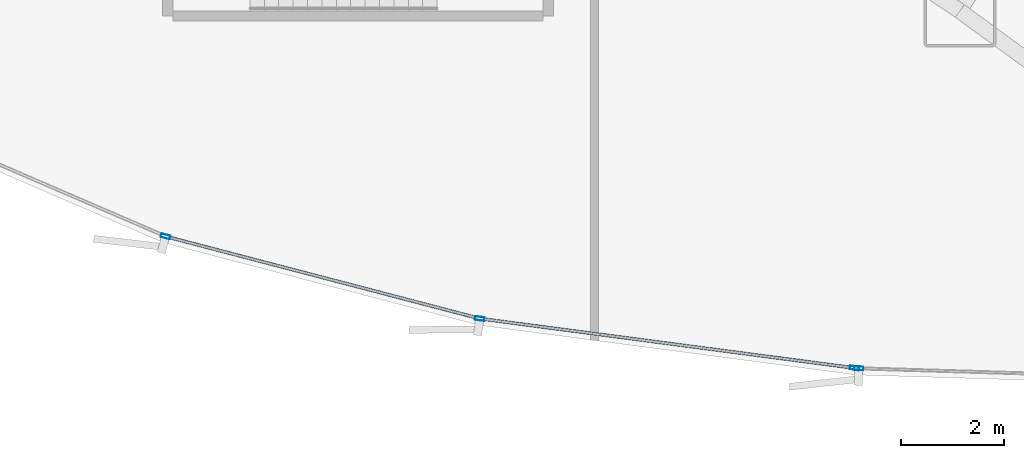
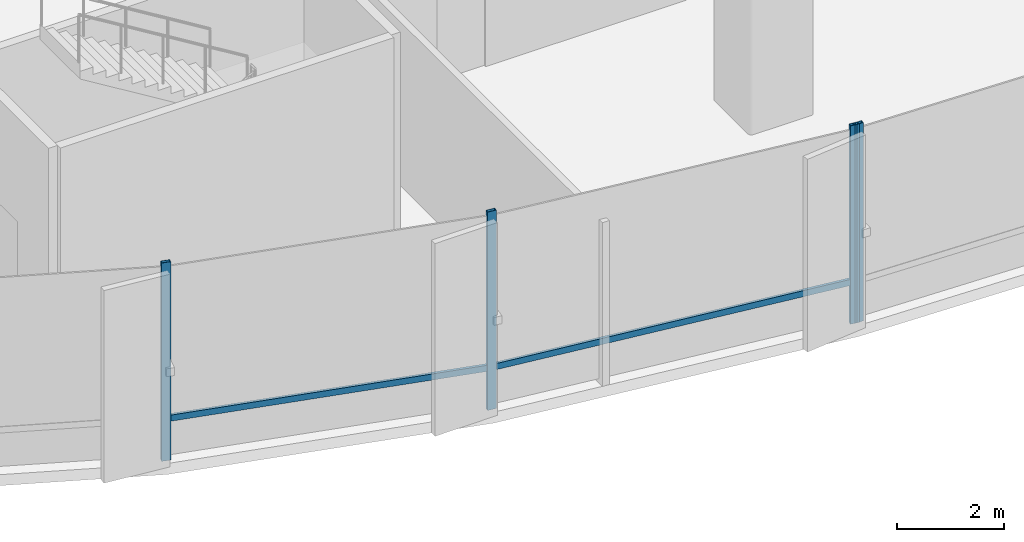
# One storey, part 4 of 33: 6 members, 2 elements without a shape of their own.
"""IFC4 building model written with IfcOpenShell, lengths in metres."""

from ifc_helpers import new_model, si_unit, direction, frame, origin, origin_2d, place, context, subcontext, project, spatial, hollow_rectangle, extrude, source, transform, mapped, material, layer, layer_set, material_profile, profile_set, type_object, element, aggregate, save


model = new_model("IFC4")

# Units and contexts
model_context = context("Model", 3, precision=1e-05, world=origin(), true_north=direction((0.0, 1.0)))
body_context = subcontext(model_context, "Body", "Model", "MODEL_VIEW")
ifc_project = project(units=[si_unit("LENGTHUNIT", "METRE"), si_unit("AREAUNIT", "SQUARE_METRE"), si_unit("VOLUMEUNIT", "CUBIC_METRE"), si_unit("PLANEANGLEUNIT", "RADIAN"), si_unit("MASSUNIT", "GRAM", prefix="KILO"), si_unit("THERMODYNAMICTEMPERATUREUNIT", "KELVIN")], contexts=[model_context])

# Site, building, storey
site_placement = place(None, origin())
site = spatial("IfcSite", under=ifc_project, at=site_placement, CompositionType="ELEMENT")
building_placement = place(site_placement, origin())
building = spatial("IfcBuilding", under=site, at=building_placement, Name="Kethvar Cultural Tower", CompositionType="ELEMENT")
storey_placement = place(building_placement, frame((0.0, 0.0, 10.0)))
storey = spatial("IfcBuildingStorey", under=building, at=storey_placement, Name="L02", CompositionType="ELEMENT", Elevation=10.0)

# Curtain wall, members
ifc_material = material(Name="Aluminium 6063-T6", Category="aluminium")
ifc_layer = layer(ifc_material, 0.179931640625, Name="Aluminium 6063-T6", Category="aluminium")
ifc_layer_set = layer_set([ifc_layer], Name="Aluminium 6063-T6 (180 mm)")
curtain_wall_type = type_object("IfcCurtainWallType", Name="CW-SYS-01-POD", PredefinedType="NOTDEFINED", material=ifc_layer_set)
curtain_wall_1_placement = place(storey_placement, origin())
curtain_wall_1 = element("IfcCurtainWall", 1, at=curtain_wall_1_placement, inside=storey, type_object=curtain_wall_type, Name="L02 Curtain Wall Run 04", PredefinedType="NOTDEFINED")
ifc_material_profile_1 = material_profile(ifc_material, hollow_rectangle(XDim=0.06005859375, YDim=0.139892578125, WallThickness=0.0048828125, at=origin_2d()), Name="Aluminium 6063-T6 — RHS140x60x5")
ifc_profile_set_1 = profile_set([ifc_material_profile_1], Name="Aluminium 6063-T6 — RHS140x60x5")
member_type_1 = type_object("IfcMemberType", Name="CW-SYS-01-POD-TRN", PredefinedType="USERDEFINED", material=ifc_profile_set_1)
shared_shape_1 = source(origin(), body_context, "Body", "SweptSolid", [
    extrude(hollow_rectangle(XDim=0.06005859375, YDim=0.139892578125, WallThickness=0.0048828125, at=origin_2d()), origin(), (0.0, 0.0, 1.0), 7.28955078125),
])
member_1_placement = place(storey_placement, frame((24.0205078125, 1.611328125, 0.949951171875), z_axis=(0.991428284846, -0.130652041726, 0.0), x_axis=(0.130652041726, 0.991428284846, 0.0)))
member_1 = element("IfcMember", 2, at=member_1_placement, type_object=member_type_1, Name="CW-L02-R04 Transom 6", ObjectType="TRANSOM", PredefinedType="USERDEFINED", context=body_context, shape_type="MappedRepresentation", body=[
    mapped(shared_shape_1, transform((0.0, 0.0, 0.0), scale=1.0)),
])
shared_shape_2 = source(origin(), body_context, "Body", "SweptSolid", [
    extrude(hollow_rectangle(XDim=0.06005859375, YDim=0.139892578125, WallThickness=0.0048828125, at=origin_2d()), origin(), (0.0, 0.0, 1.0), 6.221435546875),
])
member_2_placement = place(storey_placement, frame((17.911865234375, 3.203125, 0.949951171875), z_axis=(0.967458727109, -0.253028874519, 0.0), x_axis=(0.253028874519, 0.967458727109, 0.0)))
member_2 = element("IfcMember", 3, at=member_2_placement, type_object=member_type_1, Name="CW-L02-R04 Transom 5", ObjectType="TRANSOM", PredefinedType="USERDEFINED", context=body_context, shape_type="MappedRepresentation", body=[
    mapped(shared_shape_2, transform((0.0, 0.0, 0.0), scale=1.0)),
])
ifc_material_profile_2 = material_profile(ifc_material, hollow_rectangle(XDim=0.074951171875, YDim=0.179931640625, WallThickness=0.006103515625, at=origin_2d()), Name="Aluminium 6063-T6 — RHS180x75x6")
ifc_profile_set_2 = profile_set([ifc_material_profile_2], Name="Aluminium 6063-T6 — RHS180x75x6")
member_type_2 = type_object("IfcMemberType", Name="CW-SYS-01-POD-MUL", PredefinedType="MULLION", material=ifc_profile_set_2)
shared_shape_3 = source(origin(), body_context, "Body", "SweptSolid", [
    extrude(hollow_rectangle(XDim=0.074951171875, YDim=0.179931640625, WallThickness=0.006103515625, at=origin_2d()), origin(), (0.0, 0.0, 1.0), 4.530029296875),
])
member_3_placement = place(storey_placement, frame((17.859619140625, 3.216796875, 0.0), z_axis=(0.0, 0.0, 1.0), x_axis=(0.253031946887, 0.967457923558, 0.0)))
member_3 = element("IfcMember", 4, at=member_3_placement, type_object=member_type_2, Name="CW-L02-R04 Mullion 5", PredefinedType="MULLION", context=body_context, shape_type="MappedRepresentation", body=[
    mapped(shared_shape_3, transform((0.0, 0.0, 0.0), scale=1.0)),
])
member_4_placement = place(storey_placement, frame((23.967041015625, 1.618408203125, 0.0), z_axis=(0.0, 0.0, 1.0), x_axis=(0.130647319086, 0.991428907192, 0.0)))
member_4 = element("IfcMember", 5, at=member_4_placement, type_object=member_type_2, Name="CW-L02-R04 Mullion 6", PredefinedType="MULLION", context=body_context, shape_type="MappedRepresentation", body=[
    mapped(shared_shape_3, transform((0.0, 0.0, 0.0), scale=1.0)),
])
member_5_placement = place(storey_placement, frame((31.252685546875, 0.658447265625, 0.0), z_axis=(0.0, 0.0, 1.0), x_axis=(0.130647319086, 0.991428907192, 0.0)))
member_5 = element("IfcMember", 6, at=member_5_placement, type_object=member_type_2, Name="CW-L02-R04 Mullion 7", PredefinedType="MULLION", context=body_context, shape_type="MappedRepresentation", body=[
    mapped(shared_shape_3, transform((0.0, 0.0, 0.0), scale=1.0)),
])
aggregate(curtain_wall_1, [member_3, member_4, member_5, member_2, member_1])

# Curtain wall, member
curtain_wall_2_placement = place(storey_placement, origin())
curtain_wall_2 = element("IfcCurtainWall", 7, at=curtain_wall_2_placement, inside=storey, type_object=curtain_wall_type, Name="L02 Curtain Wall Run 05", PredefinedType="NOTDEFINED")
member_6_placement = place(storey_placement, frame((31.336669921875, 0.651611328125, 0.0), z_axis=(0.0, 0.0, 1.0), x_axis=(0.030137272261, 0.999545769248, 0.0)))
member_6 = element("IfcMember", 8, at=member_6_placement, type_object=member_type_2, Name="CW-L02-R05 Mullion 1", PredefinedType="MULLION", context=body_context, shape_type="MappedRepresentation", body=[
    mapped(shared_shape_3, transform((0.0, 0.0, 0.0), scale=1.0)),
])
aggregate(curtain_wall_2, [member_6])

save(model, "model.ifc")
